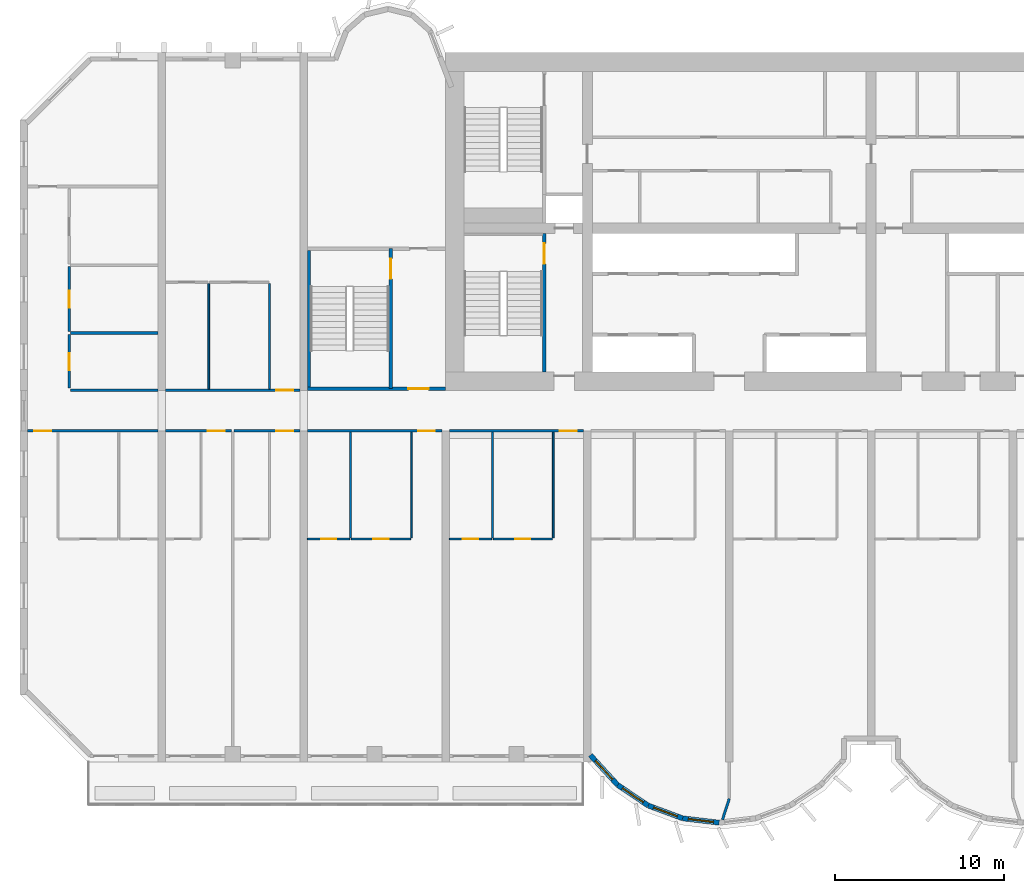
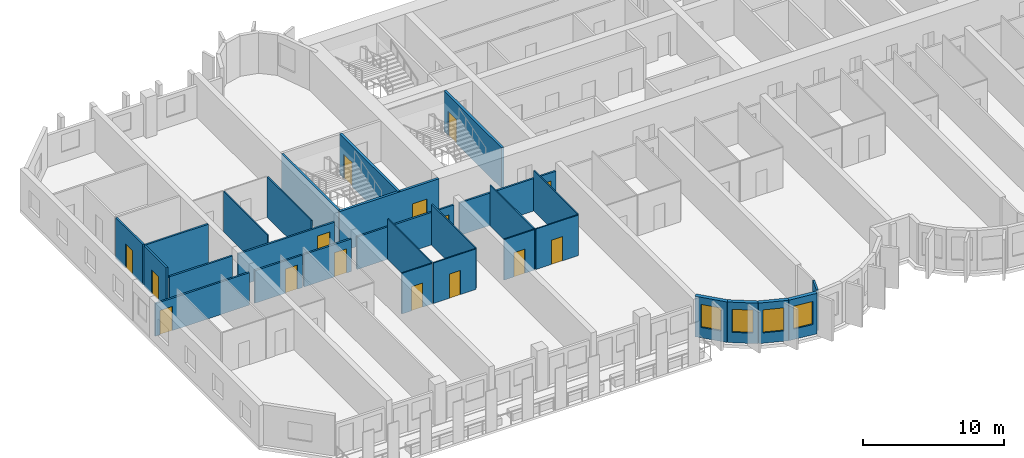
# One storey, part 3 of 15: 29 walls, 15 doors, 4 windows, 19 openings.
"""IFC4 building model written with IfcOpenShell, lengths in metres."""

from ifc_helpers import new_model, si_unit, direction, frame, frame_2d, origin, place, context, subcontext, project, spatial, rectangle, extrude, source, transform, mapped, material, layer, layer_set, type_object, element, fill, save


model = new_model("IFC4")

# Units and contexts
model_context = context("Model", 3, precision=1e-05, world=origin(), true_north=direction((0.0, 1.0)))
body_context = subcontext(model_context, "Body", "Model", "MODEL_VIEW")
ifc_project = project(units=[si_unit("LENGTHUNIT", "METRE"), si_unit("AREAUNIT", "SQUARE_METRE"), si_unit("VOLUMEUNIT", "CUBIC_METRE"), si_unit("PLANEANGLEUNIT", "RADIAN"), si_unit("MASSUNIT", "GRAM", prefix="KILO")], contexts=[model_context])

# Site, building, storey
site_placement = place(None, origin())
site = spatial("IfcSite", under=ifc_project, at=site_placement, CompositionType="ELEMENT")
building_placement = place(site_placement, origin())
building = spatial("IfcBuilding", under=site, at=building_placement, Name="Vanashikhar Sky Hotel", CompositionType="ELEMENT")
storey_placement = place(building_placement, frame((0.0, 0.0, 39.199951171875)))
storey = spatial("IfcBuildingStorey", under=building, at=storey_placement, Name="L08", CompositionType="ELEMENT", Elevation=39.199951171875)

# Wall, opening, window
ifc_material_1 = material(Name="Concrete M50", Category="concrete")
ifc_layer_1 = layer(ifc_material_1, 0.300048828125)
ifc_layer_set_1 = layer_set([ifc_layer_1], Name="Lobe wall 300")
wall_type_1 = type_object("IfcWallType", Name="Lobe wall 300", PredefinedType="SOLIDWALL", material=ifc_layer_set_1)
shared_shape_1 = source(origin(), body_context, "Body", "SweptSolid", [
    extrude(rectangle(XDim=2.398193359375, YDim=0.300048828125, at=frame_2d((1.19921875, 0.0))), origin(), (0.0, 0.0, 1.0), 3.52001953125),
])
wall_1_placement = place(storey_placement, frame((33.776123046875, 0.39990234375, 0.0), z_axis=(0.0, 0.0, 1.0), x_axis=(0.675374189419, -0.737475222815, 0.0)))
wall_1 = element("IfcWall", 1, at=wall_1_placement, inside=storey, type_object=wall_type_1, Name="Lobe wall", PredefinedType="SOLIDWALL", context=body_context, shape_type="MappedRepresentation", body=[
    mapped(shared_shape_1, transform((0.0, 0.0, 0.0), scale=1.0)),
])
shared_shape_2 = source(origin(), body_context, "Body", "SweptSolid", [
    extrude(rectangle(XDim=1.5, YDim=2.0, at=frame_2d((0.75, 1.0))), frame((0.0, 0.16015625, 0.0), z_axis=(0.0, -1.0, 0.0), x_axis=(1.0, 0.0, 0.0)), (0.0, 0.0, 1.0), 0.320068359375),
])
opening_1_placement = place(wall_1_placement, frame((0.44921875, 0.0, 0.89990234375)))
opening_1 = element("IfcOpeningElement", 2, at=opening_1_placement, cuts=wall_1, Name="Opening WN-2", PredefinedType="OPENING", context=body_context, shape_type="MappedRepresentation", body=[
    mapped(shared_shape_2, transform((0.0, 0.0, 0.0), scale=1.0)),
])
ifc_material_2 = material(Name="Glass", Category="glass")
window_type = type_object("IfcWindowType", Name="Lobe window 1500 x 2000", PartitioningType="SINGLE_PANEL", PredefinedType="WINDOW", material=ifc_material_2)
shared_shape_3 = source(origin(), body_context, "Body", "SweptSolid", [
    extrude(rectangle(XDim=1.5, YDim=2.0, at=frame_2d((0.75, 1.0))), frame((0.0, 0.030029296875, 0.0), z_axis=(0.0, -1.0, 0.0), x_axis=(1.0, 0.0, 0.0)), (0.0, 0.0, 1.0), 0.06005859375),
])
window_1_placement = place(opening_1_placement, origin())
window_1 = element("IfcWindow", 3, at=window_1_placement, inside=storey, type_object=window_type, Name="Window WN-2", OverallHeight=2.0, OverallWidth=1.5, PartitioningType="SINGLE_PANEL", PredefinedType="WINDOW", context=body_context, shape_type="MappedRepresentation", body=[
    mapped(shared_shape_3, transform((0.0, 0.0, 0.0), scale=1.0)),
])
fill(opening_1, window_1)

shared_shape_4 = source(origin(), body_context, "Body", "SweptSolid", [
    extrude(rectangle(XDim=2.17578125, YDim=0.300048828125, at=frame_2d((1.087890625, 0.0))), origin(), (0.0, 0.0, 1.0), 3.52001953125),
])
wall_2_placement = place(storey_placement, frame((35.395751953125, -1.36865234375, 0.0), z_axis=(0.0, 0.0, 1.0), x_axis=(0.829590746428, -0.558371913192, 0.0)))
wall_2 = element("IfcWall", 4, at=wall_2_placement, inside=storey, type_object=wall_type_1, Name="Lobe wall", PredefinedType="SOLIDWALL", context=body_context, shape_type="MappedRepresentation", body=[
    mapped(shared_shape_4, transform((0.0, 0.0, 0.0), scale=1.0)),
])
opening_2_placement = place(wall_2_placement, frame((0.337890625, 0.0, 0.89990234375)))
opening_2 = element("IfcOpeningElement", 5, at=opening_2_placement, cuts=wall_2, Name="Opening WN-2", PredefinedType="OPENING", context=body_context, shape_type="MappedRepresentation", body=[
    mapped(shared_shape_2, transform((0.0, 0.0, 0.0), scale=1.0)),
])
window_2_placement = place(opening_2_placement, origin())
window_2 = element("IfcWindow", 6, at=window_2_placement, inside=storey, type_object=window_type, Name="Window WN-2", OverallHeight=2.0, OverallWidth=1.5, PartitioningType="SINGLE_PANEL", PredefinedType="WINDOW", context=body_context, shape_type="MappedRepresentation", body=[
    mapped(shared_shape_3, transform((0.0, 0.0, 0.0), scale=1.0)),
])
fill(opening_2, window_2)

wall_3_placement = place(storey_placement, frame((37.20068359375, -2.58349609375, 0.0), z_axis=(0.0, 0.0, 1.0), x_axis=(0.93754555999, -0.347862505801, 0.0)))
wall_3 = element("IfcWall", 7, at=wall_3_placement, inside=storey, type_object=wall_type_1, Name="Lobe wall", PredefinedType="SOLIDWALL", context=body_context, shape_type="MappedRepresentation", body=[
    mapped(shared_shape_4, transform((0.0, 0.0, 0.0), scale=1.0)),
])
opening_3_placement = place(wall_3_placement, frame((0.337890625, 0.0, 0.89990234375)))
opening_3 = element("IfcOpeningElement", 8, at=opening_3_placement, cuts=wall_3, Name="Opening WN-2", PredefinedType="OPENING", context=body_context, shape_type="MappedRepresentation", body=[
    mapped(shared_shape_2, transform((0.0, 0.0, 0.0), scale=1.0)),
])
window_3_placement = place(opening_3_placement, origin())
window_3 = element("IfcWindow", 9, at=window_3_placement, inside=storey, type_object=window_type, Name="Window WN-2", OverallHeight=2.0, OverallWidth=1.5, PartitioningType="SINGLE_PANEL", PredefinedType="WINDOW", context=body_context, shape_type="MappedRepresentation", body=[
    mapped(shared_shape_3, transform((0.0, 0.0, 0.0), scale=1.0)),
])
fill(opening_3, window_3)

shared_shape_5 = source(origin(), body_context, "Body", "SweptSolid", [
    extrude(rectangle(XDim=2.174560546875, YDim=0.300048828125, at=frame_2d((1.08740234375, 0.0))), origin(), (0.0, 0.0, 1.0), 3.52001953125),
])
wall_4_placement = place(storey_placement, frame((39.240478515625, -3.34033203125, 0.0), z_axis=(0.0, 0.0, 1.0), x_axis=(0.993001132889, -0.118104826659, 0.0)))
wall_4 = element("IfcWall", 10, at=wall_4_placement, inside=storey, type_object=wall_type_1, Name="Lobe wall", PredefinedType="SOLIDWALL", context=body_context, shape_type="MappedRepresentation", body=[
    mapped(shared_shape_5, transform((0.0, 0.0, 0.0), scale=1.0)),
])
opening_4_placement = place(wall_4_placement, frame((0.33740234375, 0.0, 0.89990234375)))
opening_4 = element("IfcOpeningElement", 11, at=opening_4_placement, cuts=wall_4, Name="Opening WN-2", PredefinedType="OPENING", context=body_context, shape_type="MappedRepresentation", body=[
    mapped(shared_shape_2, transform((0.0, 0.0, 0.0), scale=1.0)),
])
window_4_placement = place(opening_4_placement, origin())
window_4 = element("IfcWindow", 12, at=window_4_placement, inside=storey, type_object=window_type, Name="Window WN-2", OverallHeight=2.0, OverallWidth=1.5, PartitioningType="SINGLE_PANEL", PredefinedType="WINDOW", context=body_context, shape_type="MappedRepresentation", body=[
    mapped(shared_shape_3, transform((0.0, 0.0, 0.0), scale=1.0)),
])
fill(opening_4, window_4)

# Wall, opening, door
ifc_layer_2 = layer(ifc_material_1, 0.199951171875)
ifc_layer_set_2 = layer_set([ifc_layer_2], Name="Stair wall 200")
wall_type_2 = type_object("IfcWallType", Name="Stair wall 200", PredefinedType="SOLIDWALL", material=ifc_layer_set_2)
shared_shape_6 = source(origin(), body_context, "Body", "SweptSolid", [
    extrude(rectangle(XDim=8.199951171875, YDim=0.199951171875, at=frame_2d((4.10009765625, 0.0))), origin(), (0.0, 0.0, 1.0), 3.52001953125),
])
wall_5_placement = place(storey_placement, frame((31.050048828125, 23.10009765625, 0.0), z_axis=(0.0, 0.0, 1.0), x_axis=(0.0, 1.0, 0.0)))
wall_5 = element("IfcWall", 13, at=wall_5_placement, inside=storey, type_object=wall_type_2, Name="Stair wall 200", PredefinedType="SOLIDWALL", context=body_context, shape_type="MappedRepresentation", body=[
    mapped(shared_shape_6, transform((0.0, 0.0, 0.0), scale=1.0)),
])
shared_shape_7 = source(origin(), body_context, "Body", "SweptSolid", [
    extrude(rectangle(XDim=1.199951171875, YDim=2.10009765625, at=frame_2d((0.60009765625, 1.050048828125))), frame((0.0, 0.10986328125, 0.0), z_axis=(0.0, -1.0, 0.0), x_axis=(1.0, 0.0, 0.0)), (0.0, 0.0, 1.0), 0.219970703125),
])
opening_5_placement = place(wall_5_placement, frame((6.39990234375, 0.0, 0.0)))
opening_5 = element("IfcOpeningElement", 14, at=opening_5_placement, cuts=wall_5, Name="Opening DC-1", PredefinedType="OPENING", context=body_context, shape_type="MappedRepresentation", body=[
    mapped(shared_shape_7, transform((0.0, 0.0, 0.0), scale=1.0)),
])
ifc_material_3 = material(Name="Steel", Category="steel")
door_type_1 = type_object("IfcDoorType", Name="Stair door 1200 FD120", OperationType="NOTDEFINED", PredefinedType="DOOR", material=ifc_material_3)
shared_shape_8 = source(origin(), body_context, "Body", "SweptSolid", [
    extrude(rectangle(XDim=1.199951171875, YDim=2.10009765625, at=frame_2d((0.60009765625, 1.050048828125))), frame((0.0, 0.02490234375, 0.0), z_axis=(0.0, -1.0, 0.0), x_axis=(1.0, 0.0, 0.0)), (0.0, 0.0, 1.0), 0.050048828125),
])
door_1_placement = place(opening_5_placement, origin())
door_1 = element("IfcDoor", 15, at=door_1_placement, inside=storey, type_object=door_type_1, Name="Stair door 1200 FD120", OperationType="SINGLE_SWING_LEFT", OverallHeight=2.10009765625, OverallWidth=1.199951171875, PredefinedType="DOOR", context=body_context, shape_type="MappedRepresentation", body=[
    mapped(shared_shape_8, transform((0.0, 0.0, 0.0), scale=1.0)),
])
fill(opening_5, door_1)

shared_shape_9 = source(origin(), body_context, "Body", "SweptSolid", [
    extrude(rectangle(XDim=8.2998046875, YDim=0.199951171875, at=frame_2d((4.14990234375, 0.0))), origin(), (0.0, 0.0, 1.0), 3.52001953125),
])
wall_6_placement = place(storey_placement, frame((21.949951171875, 22.10009765625, 0.0), z_axis=(0.0, 0.0, 1.0), x_axis=(0.0, 1.0, 0.0)))
wall_6 = element("IfcWall", 16, at=wall_6_placement, inside=storey, type_object=wall_type_2, Name="Stair wall 200", PredefinedType="SOLIDWALL", context=body_context, shape_type="MappedRepresentation", body=[
    mapped(shared_shape_9, transform((0.0, 0.0, 0.0), scale=1.0)),
])
opening_6_placement = place(wall_6_placement, frame((6.5, 0.0, 0.0)))
opening_6 = element("IfcOpeningElement", 17, at=opening_6_placement, cuts=wall_6, Name="Opening DC-1", PredefinedType="OPENING", context=body_context, shape_type="MappedRepresentation", body=[
    mapped(shared_shape_7, transform((0.0, 0.0, 0.0), scale=1.0)),
])
door_2_placement = place(opening_6_placement, origin())
door_2 = element("IfcDoor", 18, at=door_2_placement, inside=storey, type_object=door_type_1, Name="Stair door 1200 FD120", OperationType="SINGLE_SWING_LEFT", OverallHeight=2.10009765625, OverallWidth=1.199951171875, PredefinedType="DOOR", context=body_context, shape_type="MappedRepresentation", body=[
    mapped(shared_shape_8, transform((0.0, 0.0, 0.0), scale=1.0)),
])
fill(opening_6, door_2)

shared_shape_10 = source(origin(), body_context, "Body", "SweptSolid", [
    extrude(rectangle(XDim=8.175048828125, YDim=0.199951171875, at=frame_2d((4.08740234375, 0.0))), origin(), (0.0, 0.0, 1.0), 3.52001953125),
])
wall_7_placement = place(storey_placement, frame((17.02490234375, 22.10009765625, 0.0), z_axis=(0.0, 0.0, 1.0), x_axis=(1.0, 0.0, 0.0)))
wall_7 = element("IfcWall", 19, at=wall_7_placement, inside=storey, type_object=wall_type_2, Name="Stair wall 200", PredefinedType="SOLIDWALL", context=body_context, shape_type="MappedRepresentation", body=[
    mapped(shared_shape_10, transform((0.0, 0.0, 0.0), scale=1.0)),
])
opening_7_placement = place(wall_7_placement, frame((5.97509765625, 0.0, 0.0)))
opening_7 = element("IfcOpeningElement", 20, at=opening_7_placement, cuts=wall_7, Name="Opening DC-2", PredefinedType="OPENING", context=body_context, shape_type="MappedRepresentation", body=[
    mapped(shared_shape_7, transform((0.0, 0.0, 0.0), scale=1.0)),
])
door_type_2 = type_object("IfcDoorType", Name="Firefighting lobby door 1200 FD120", OperationType="NOTDEFINED", PredefinedType="DOOR", material=ifc_material_3)
door_3_placement = place(opening_7_placement, origin())
door_3 = element("IfcDoor", 21, at=door_3_placement, inside=storey, type_object=door_type_2, Name="Firefighting lobby door 1200 FD120", OperationType="SINGLE_SWING_LEFT", OverallHeight=2.10009765625, OverallWidth=1.199951171875, PredefinedType="DOOR", context=body_context, shape_type="MappedRepresentation", body=[
    mapped(shared_shape_8, transform((0.0, 0.0, 0.0), scale=1.0)),
])
fill(opening_7, door_3)

# Wall
ifc_layer_3 = layer(ifc_material_1, 0.175048828125)
ifc_layer_set_3 = layer_set([ifc_layer_3], Name="Stair infill wall 175")
wall_type_3 = type_object("IfcWallType", Name="Stair infill wall 175", PredefinedType="SOLIDWALL", material=ifc_layer_set_3)
shared_shape_11 = source(origin(), body_context, "Body", "SweptSolid", [
    extrude(rectangle(XDim=8.10009765625, YDim=0.175048828125, at=frame_2d((4.050048828125, 0.0))), origin(), (0.0, 0.0, 1.0), 3.52001953125),
])
wall_8_placement = place(storey_placement, frame((17.112060546875, 22.199951171875, 0.0), z_axis=(0.0, 0.0, 1.0), x_axis=(0.0, 1.0, 0.0)))
element("IfcWall", 22, at=wall_8_placement, inside=storey, type_object=wall_type_3, Name="Stair infill wall 175", PredefinedType="SOLIDWALL", context=body_context, shape_type="MappedRepresentation", body=[
    mapped(shared_shape_11, transform((0.0, 0.0, 0.0), scale=1.0)),
])

# Wall, opening, door
ifc_material_4 = material(Name="Gypsum plasterboard partition")
ifc_layer_4 = layer(ifc_material_4, 0.14990234375)
ifc_layer_set_4 = layer_set([ifc_layer_4], Name="Corridor and demising partition 150")
wall_type_4 = type_object("IfcWallType", Name="Corridor and demising partition 150", PredefinedType="PARTITIONING", material=ifc_layer_set_4)
shared_shape_12 = source(origin(), body_context, "Body", "SweptSolid", [
    extrude(rectangle(XDim=3.89990234375, YDim=0.14990234375, at=frame_2d((1.949951171875, 0.0))), origin(), (0.0, 0.0, 1.0), 2.820068359375),
])
wall_9_placement = place(storey_placement, frame((8.625, 19.60009765625, 0.0), z_axis=(0.0, 0.0, 1.0), x_axis=(1.0, 0.0, 0.0)))
wall_9 = element("IfcWall", 23, at=wall_9_placement, inside=storey, type_object=wall_type_4, Name="W-L08-PW008", PredefinedType="PARTITIONING", context=body_context, shape_type="MappedRepresentation", body=[
    mapped(shared_shape_12, transform((0.0, 0.0, 0.0), scale=1.0)),
])
shared_shape_13 = source(origin(), body_context, "Body", "SweptSolid", [
    extrude(rectangle(XDim=1.0, YDim=2.10009765625, at=frame_2d((0.5, 1.050048828125))), frame((0.0, 0.0849609375, 0.0), z_axis=(0.0, -1.0, 0.0), x_axis=(1.0, 0.0, 0.0)), (0.0, 0.0, 1.0), 0.169921875),
])
opening_8_placement = place(wall_9_placement, frame((2.5, 0.0, 0.0)))
opening_8 = element("IfcOpeningElement", 24, at=opening_8_placement, cuts=wall_9, Name="Opening D-01", PredefinedType="OPENING", context=body_context, shape_type="MappedRepresentation", body=[
    mapped(shared_shape_13, transform((0.0, 0.0, 0.0), scale=1.0)),
])
ifc_material_5 = material(Name="Timber fire door", Category="wood")
door_type_3 = type_object("IfcDoorType", Name="Guest entry door 1000 FD30S", OperationType="NOTDEFINED", PredefinedType="DOOR", material=ifc_material_5)
shared_shape_14 = source(origin(), body_context, "Body", "SweptSolid", [
    extrude(rectangle(XDim=1.0, YDim=2.10009765625, at=frame_2d((0.5, 1.050048828125))), frame((0.0, 0.02490234375, 0.0), z_axis=(0.0, -1.0, 0.0), x_axis=(1.0, 0.0, 0.0)), (0.0, 0.0, 1.0), 0.050048828125),
])
door_4_placement = place(opening_8_placement, origin())
door_4 = element("IfcDoor", 25, at=door_4_placement, inside=storey, type_object=door_type_3, Name="D-L08-005", OperationType="SINGLE_SWING_RIGHT", OverallHeight=2.10009765625, OverallWidth=1.0, PredefinedType="DOOR", context=body_context, shape_type="MappedRepresentation", body=[
    mapped(shared_shape_14, transform((0.0, 0.0, 0.0), scale=1.0)),
])
fill(opening_8, door_4)

wall_10_placement = place(storey_placement, frame((12.675048828125, 19.60009765625, 0.0), z_axis=(0.0, 0.0, 1.0), x_axis=(1.0, 0.0, 0.0)))
wall_10 = element("IfcWall", 26, at=wall_10_placement, inside=storey, type_object=wall_type_4, Name="W-L08-PW011", PredefinedType="PARTITIONING", context=body_context, shape_type="MappedRepresentation", body=[
    mapped(shared_shape_12, transform((0.0, 0.0, 0.0), scale=1.0)),
])
opening_9_placement = place(wall_10_placement, frame((2.5, 0.0, 0.0)))
opening_9 = element("IfcOpeningElement", 27, at=opening_9_placement, cuts=wall_10, Name="Opening D-01", PredefinedType="OPENING", context=body_context, shape_type="MappedRepresentation", body=[
    mapped(shared_shape_13, transform((0.0, 0.0, 0.0), scale=1.0)),
])
door_5_placement = place(opening_9_placement, origin())
door_5 = element("IfcDoor", 28, at=door_5_placement, inside=storey, type_object=door_type_3, Name="D-L08-007", OperationType="SINGLE_SWING_RIGHT", OverallHeight=2.10009765625, OverallWidth=1.0, PredefinedType="DOOR", context=body_context, shape_type="MappedRepresentation", body=[
    mapped(shared_shape_14, transform((0.0, 0.0, 0.0), scale=1.0)),
])
fill(opening_9, door_5)

# Walls
shared_shape_15 = source(origin(), body_context, "Body", "SweptSolid", [
    extrude(rectangle(XDim=5.175048828125, YDim=0.14990234375, at=frame_2d((2.58740234375, 0.0))), origin(), (0.0, 0.0, 1.0), 2.820068359375),
])
wall_11_placement = place(storey_placement, frame((3.0, 22.0, 0.0), z_axis=(0.0, 0.0, 1.0), x_axis=(1.0, 0.0, 0.0)))
element("IfcWall", 29, at=wall_11_placement, inside=storey, type_object=wall_type_4, Name="W-L08-PW070", PredefinedType="PARTITIONING", context=body_context, shape_type="MappedRepresentation", body=[
    mapped(shared_shape_15, transform((0.0, 0.0, 0.0), scale=1.0)),
])
shared_shape_16 = source(origin(), body_context, "Body", "SweptSolid", [
    extrude(rectangle(XDim=5.175048828125, YDim=0.14990234375, at=frame_2d((2.58740234375, 0.0))), origin(), (0.0, 0.0, 1.0), 3.52001953125),
])
wall_12_placement = place(storey_placement, frame((3.0, 25.39990234375, 0.0), z_axis=(0.0, 0.0, 1.0), x_axis=(1.0, 0.0, 0.0)))
element("IfcWall", 30, at=wall_12_placement, inside=storey, type_object=wall_type_4, Name="W-L08-PW072", PredefinedType="PARTITIONING", context=body_context, shape_type="MappedRepresentation", body=[
    mapped(shared_shape_16, transform((0.0, 0.0, 0.0), scale=1.0)),
])

# Wall, opening, door
ifc_layer_5 = layer(ifc_material_4, 0.10009765625)
ifc_layer_set_5 = layer_set([ifc_layer_5], Name="Wet room partition 100")
wall_type_5 = type_object("IfcWallType", Name="Wet room partition 100", PredefinedType="PARTITIONING", material=ifc_layer_set_5)
shared_shape_17 = source(origin(), body_context, "Body", "SweptSolid", [
    extrude(rectangle(XDim=3.5, YDim=0.10009765625, at=frame_2d((1.75, 0.0))), origin(), (0.0, 0.0, 1.0), 3.52001953125),
])
wall_13_placement = place(storey_placement, frame((19.625, 13.199951171875, 0.0), z_axis=(0.0, 0.0, 1.0), x_axis=(1.0, 0.0, 0.0)))
wall_13 = element("IfcWall", 31, at=wall_13_placement, inside=storey, type_object=wall_type_5, Name="W-L08-PW015", PredefinedType="PARTITIONING", context=body_context, shape_type="MappedRepresentation", body=[
    mapped(shared_shape_17, transform((0.0, 0.0, 0.0), scale=1.0)),
])
shared_shape_18 = source(origin(), body_context, "Body", "SweptSolid", [
    extrude(rectangle(XDim=0.89990234375, YDim=2.10009765625, at=frame_2d((0.449951171875, 1.050048828125))), frame((0.0, 0.06005859375, 0.0), z_axis=(0.0, -1.0, 0.0), x_axis=(1.0, 0.0, 0.0)), (0.0, 0.0, 1.0), 0.1201171875),
])
opening_10_placement = place(wall_13_placement, frame((1.300048828125, 0.0, 0.0)))
opening_10 = element("IfcOpeningElement", 32, at=opening_10_placement, cuts=wall_13, Name="Opening D-02", PredefinedType="OPENING", context=body_context, shape_type="MappedRepresentation", body=[
    mapped(shared_shape_18, transform((0.0, 0.0, 0.0), scale=1.0)),
])
ifc_material_6 = material(Name="Timber door", Category="wood")
door_type_4 = type_object("IfcDoorType", Name="Internal door 900", OperationType="NOTDEFINED", PredefinedType="DOOR", material=ifc_material_6)
shared_shape_19 = source(origin(), body_context, "Body", "SweptSolid", [
    extrude(rectangle(XDim=0.89990234375, YDim=2.10009765625, at=frame_2d((0.449951171875, 1.050048828125))), frame((0.0, 0.02490234375, 0.0), z_axis=(0.0, -1.0, 0.0), x_axis=(1.0, 0.0, 0.0)), (0.0, 0.0, 1.0), 0.050048828125),
])
door_6_placement = place(opening_10_placement, origin())
door_6 = element("IfcDoor", 33, at=door_6_placement, inside=storey, type_object=door_type_4, Name="D-L08-008", OperationType="SINGLE_SWING_RIGHT", OverallHeight=2.10009765625, OverallWidth=0.89990234375, PredefinedType="DOOR", context=body_context, shape_type="MappedRepresentation", body=[
    mapped(shared_shape_19, transform((0.0, 0.0, 0.0), scale=1.0)),
])
fill(opening_10, door_6)

wall_14_placement = place(storey_placement, frame((28.02490234375, 13.199951171875, 0.0), z_axis=(0.0, 0.0, 1.0), x_axis=(1.0, 0.0, 0.0)))
wall_14 = element("IfcWall", 34, at=wall_14_placement, inside=storey, type_object=wall_type_5, Name="W-L08-PW020", PredefinedType="PARTITIONING", context=body_context, shape_type="MappedRepresentation", body=[
    mapped(shared_shape_17, transform((0.0, 0.0, 0.0), scale=1.0)),
])
opening_11_placement = place(wall_14_placement, frame((1.300048828125, 0.0, 0.0)))
opening_11 = element("IfcOpeningElement", 35, at=opening_11_placement, cuts=wall_14, Name="Opening D-02", PredefinedType="OPENING", context=body_context, shape_type="MappedRepresentation", body=[
    mapped(shared_shape_18, transform((0.0, 0.0, 0.0), scale=1.0)),
])
door_7_placement = place(opening_11_placement, origin())
door_7 = element("IfcDoor", 36, at=door_7_placement, inside=storey, type_object=door_type_4, Name="D-L08-011", OperationType="SINGLE_SWING_RIGHT", OverallHeight=2.10009765625, OverallWidth=0.89990234375, PredefinedType="DOOR", context=body_context, shape_type="MappedRepresentation", body=[
    mapped(shared_shape_19, transform((0.0, 0.0, 0.0), scale=1.0)),
])
fill(opening_11, door_7)

shared_shape_20 = source(origin(), body_context, "Body", "SweptSolid", [
    extrude(rectangle(XDim=7.72509765625, YDim=0.14990234375, at=frame_2d((3.862548828125, 0.0))), origin(), (0.0, 0.0, 1.0), 2.820068359375),
])
wall_15_placement = place(storey_placement, frame((0.449951171875, 19.60009765625, 0.0), z_axis=(0.0, 0.0, 1.0), x_axis=(1.0, 0.0, 0.0)))
wall_15 = element("IfcWall", 37, at=wall_15_placement, inside=storey, type_object=wall_type_4, Name="W-L08-PW005", PredefinedType="PARTITIONING", context=body_context, shape_type="MappedRepresentation", body=[
    mapped(shared_shape_20, transform((0.0, 0.0, 0.0), scale=1.0)),
])
opening_12_placement = place(wall_15_placement, frame((0.39990234375, 0.0, 0.0)))
opening_12 = element("IfcOpeningElement", 38, at=opening_12_placement, cuts=wall_15, Name="Opening D-01", PredefinedType="OPENING", context=body_context, shape_type="MappedRepresentation", body=[
    mapped(shared_shape_13, transform((0.0, 0.0, 0.0), scale=1.0)),
])
door_8_placement = place(opening_12_placement, origin())
door_8 = element("IfcDoor", 39, at=door_8_placement, inside=storey, type_object=door_type_3, Name="D-L08-003", OperationType="SINGLE_SWING_LEFT", OverallHeight=2.10009765625, OverallWidth=1.0, PredefinedType="DOOR", context=body_context, shape_type="MappedRepresentation", body=[
    mapped(shared_shape_14, transform((0.0, 0.0, 0.0), scale=1.0)),
])
fill(opening_12, door_8)

# Walls
shared_shape_21 = source(origin(), body_context, "Body", "SweptSolid", [
    extrude(rectangle(XDim=1.308349609375, YDim=0.14990234375, at=frame_2d((0.654296875, 0.0))), origin(), (0.0, 0.0, 1.0), 3.52001953125),
])
wall_16_placement = place(storey_placement, frame((41.597900390625, -3.423095703125, 0.0), z_axis=(0.0, 0.0, 1.0), x_axis=(0.307313512187, 0.951608325535, 0.0)))
element("IfcWall", 40, at=wall_16_placement, inside=storey, type_object=wall_type_4, Name="W-L08-PW068B0", PredefinedType="PARTITIONING", context=body_context, shape_type="MappedRepresentation", body=[
    mapped(shared_shape_21, transform((0.0, 0.0, 0.0), scale=1.0)),
])
shared_shape_22 = source(origin(), body_context, "Body", "SweptSolid", [
    extrude(rectangle(XDim=6.25, YDim=0.10009765625, at=frame_2d((3.125, 0.0))), origin(), (0.0, 0.0, 1.0), 3.52001953125),
])
for number, where, z_axis, x_axis, name in (
    (41, (23.175048828125, 13.27490234375, 0.0), (0.0, 0.0, 1.0), (0.0, 1.0, 0.0), "W-L08-PW013"),
    (42, (19.574951171875, 13.27490234375, 0.0), (0.0, 0.0, 1.0), (0.0, 1.0, 0.0), "W-L08-PW014"),
    (43, (31.574951171875, 13.27490234375, 0.0), (0.0, 0.0, 1.0), (0.0, 1.0, 0.0), "W-L08-PW018"),
    (44, (27.97509765625, 13.27490234375, 0.0), (0.0, 0.0, 1.0), (0.0, 1.0, 0.0), "W-L08-PW019"),
    (45, (14.77490234375, 22.074951171875, 0.0), (0.0, 0.0, 1.0), (0.0, 1.0, 0.0), "W-L08-PW077"),
    (46, (11.175048828125, 22.074951171875, 0.0), (0.0, 0.0, 1.0), (0.0, 1.0, 0.0), "W-L08-PW078"),
):
    element("IfcWall", number, at=place(storey_placement, frame(where, z_axis=z_axis, x_axis=x_axis)), inside=storey, type_object=wall_type_5, Name=name, PredefinedType="PARTITIONING", context=body_context, shape_type="MappedRepresentation", body=[
        mapped(shared_shape_22, transform((0.0, 0.0, 0.0), scale=1.0)),
    ])

# Wall, opening, door
shared_shape_23 = source(origin(), body_context, "Body", "SweptSolid", [
    extrude(rectangle(XDim=2.5, YDim=0.10009765625, at=frame_2d((1.25, 0.0))), origin(), (0.0, 0.0, 1.0), 3.52001953125),
])
wall_17_placement = place(storey_placement, frame((17.02490234375, 13.199951171875, 0.0), z_axis=(0.0, 0.0, 1.0), x_axis=(1.0, 0.0, 0.0)))
wall_17 = element("IfcWall", 47, at=wall_17_placement, inside=storey, type_object=wall_type_5, Name="W-L08-PW016", PredefinedType="PARTITIONING", context=body_context, shape_type="MappedRepresentation", body=[
    mapped(shared_shape_23, transform((0.0, 0.0, 0.0), scale=1.0)),
])
opening_13_placement = place(wall_17_placement, frame((0.800048828125, 0.0, 0.0)))
opening_13 = element("IfcOpeningElement", 48, at=opening_13_placement, cuts=wall_17, Name="Opening D-02", PredefinedType="OPENING", context=body_context, shape_type="MappedRepresentation", body=[
    mapped(shared_shape_18, transform((0.0, 0.0, 0.0), scale=1.0)),
])
door_9_placement = place(opening_13_placement, origin())
door_9 = element("IfcDoor", 49, at=door_9_placement, inside=storey, type_object=door_type_4, Name="D-L08-009", OperationType="SINGLE_SWING_RIGHT", OverallHeight=2.10009765625, OverallWidth=0.89990234375, PredefinedType="DOOR", context=body_context, shape_type="MappedRepresentation", body=[
    mapped(shared_shape_19, transform((0.0, 0.0, 0.0), scale=1.0)),
])
fill(opening_13, door_9)

wall_18_placement = place(storey_placement, frame((25.425048828125, 13.199951171875, 0.0), z_axis=(0.0, 0.0, 1.0), x_axis=(1.0, 0.0, 0.0)))
wall_18 = element("IfcWall", 50, at=wall_18_placement, inside=storey, type_object=wall_type_5, Name="W-L08-PW021", PredefinedType="PARTITIONING", context=body_context, shape_type="MappedRepresentation", body=[
    mapped(shared_shape_23, transform((0.0, 0.0, 0.0), scale=1.0)),
])
opening_14_placement = place(wall_18_placement, frame((0.800048828125, 0.0, 0.0)))
opening_14 = element("IfcOpeningElement", 51, at=opening_14_placement, cuts=wall_18, Name="Opening D-02", PredefinedType="OPENING", context=body_context, shape_type="MappedRepresentation", body=[
    mapped(shared_shape_18, transform((0.0, 0.0, 0.0), scale=1.0)),
])
door_10_placement = place(opening_14_placement, origin())
door_10 = element("IfcDoor", 52, at=door_10_placement, inside=storey, type_object=door_type_4, Name="D-L08-012", OperationType="SINGLE_SWING_RIGHT", OverallHeight=2.10009765625, OverallWidth=0.89990234375, PredefinedType="DOOR", context=body_context, shape_type="MappedRepresentation", body=[
    mapped(shared_shape_19, transform((0.0, 0.0, 0.0), scale=1.0)),
])
fill(opening_14, door_10)

shared_shape_24 = source(origin(), body_context, "Body", "SweptSolid", [
    extrude(rectangle(XDim=7.9501953125, YDim=0.14990234375, at=frame_2d((3.97509765625, 0.0))), origin(), (0.0, 0.0, 1.0), 2.820068359375),
])
wall_19_placement = place(storey_placement, frame((17.02490234375, 19.60009765625, 0.0), z_axis=(0.0, 0.0, 1.0), x_axis=(1.0, 0.0, 0.0)))
wall_19 = element("IfcWall", 53, at=wall_19_placement, inside=storey, type_object=wall_type_4, Name="W-L08-PW017", PredefinedType="PARTITIONING", context=body_context, shape_type="MappedRepresentation", body=[
    mapped(shared_shape_24, transform((0.0, 0.0, 0.0), scale=1.0)),
])
opening_15_placement = place(wall_19_placement, frame((6.550048828125, 0.0, 0.0)))
opening_15 = element("IfcOpeningElement", 54, at=opening_15_placement, cuts=wall_19, Name="Opening D-01", PredefinedType="OPENING", context=body_context, shape_type="MappedRepresentation", body=[
    mapped(shared_shape_13, transform((0.0, 0.0, 0.0), scale=1.0)),
])
door_11_placement = place(opening_15_placement, origin())
door_11 = element("IfcDoor", 55, at=door_11_placement, inside=storey, type_object=door_type_3, Name="D-L08-010", OperationType="SINGLE_SWING_RIGHT", OverallHeight=2.10009765625, OverallWidth=1.0, PredefinedType="DOOR", context=body_context, shape_type="MappedRepresentation", body=[
    mapped(shared_shape_14, transform((0.0, 0.0, 0.0), scale=1.0)),
])
fill(opening_15, door_11)

shared_shape_25 = source(origin(), body_context, "Body", "SweptSolid", [
    extrude(rectangle(XDim=7.949951171875, YDim=0.14990234375, at=frame_2d((3.97509765625, 0.0))), origin(), (0.0, 0.0, 1.0), 2.820068359375),
])
wall_20_placement = place(storey_placement, frame((25.425048828125, 19.60009765625, 0.0), z_axis=(0.0, 0.0, 1.0), x_axis=(1.0, 0.0, 0.0)))
wall_20 = element("IfcWall", 56, at=wall_20_placement, inside=storey, type_object=wall_type_4, Name="W-L08-PW022", PredefinedType="PARTITIONING", context=body_context, shape_type="MappedRepresentation", body=[
    mapped(shared_shape_25, transform((0.0, 0.0, 0.0), scale=1.0)),
])
opening_16_placement = place(wall_20_placement, frame((6.550048828125, 0.0, 0.0)))
opening_16 = element("IfcOpeningElement", 57, at=opening_16_placement, cuts=wall_20, Name="Opening D-01", PredefinedType="OPENING", context=body_context, shape_type="MappedRepresentation", body=[
    mapped(shared_shape_13, transform((0.0, 0.0, 0.0), scale=1.0)),
])
door_12_placement = place(opening_16_placement, origin())
door_12 = element("IfcDoor", 58, at=door_12_placement, inside=storey, type_object=door_type_3, Name="D-L08-013", OperationType="SINGLE_SWING_RIGHT", OverallHeight=2.10009765625, OverallWidth=1.0, PredefinedType="DOOR", context=body_context, shape_type="MappedRepresentation", body=[
    mapped(shared_shape_14, transform((0.0, 0.0, 0.0), scale=1.0)),
])
fill(opening_16, door_12)

wall_21_placement = place(storey_placement, frame((8.625, 22.0, 0.0), z_axis=(0.0, 0.0, 1.0), x_axis=(1.0, 0.0, 0.0)))
wall_21 = element("IfcWall", 59, at=wall_21_placement, inside=storey, type_object=wall_type_4, Name="W-L08-PW081", PredefinedType="PARTITIONING", context=body_context, shape_type="MappedRepresentation", body=[
    mapped(shared_shape_25, transform((0.0, 0.0, 0.0), scale=1.0)),
])
opening_17_placement = place(wall_21_placement, frame((6.550048828125, 0.0, 0.0)))
opening_17 = element("IfcOpeningElement", 60, at=opening_17_placement, cuts=wall_21, Name="Opening D-01", PredefinedType="OPENING", context=body_context, shape_type="MappedRepresentation", body=[
    mapped(shared_shape_13, transform((0.0, 0.0, 0.0), scale=1.0)),
])
door_13_placement = place(opening_17_placement, origin())
door_13 = element("IfcDoor", 61, at=door_13_placement, inside=storey, type_object=door_type_3, Name="D-L08-047", OperationType="SINGLE_SWING_RIGHT", OverallHeight=2.10009765625, OverallWidth=1.0, PredefinedType="DOOR", context=body_context, shape_type="MappedRepresentation", body=[
    mapped(shared_shape_14, transform((0.0, 0.0, 0.0), scale=1.0)),
])
fill(opening_17, door_13)

shared_shape_26 = source(origin(), body_context, "Body", "SweptSolid", [
    extrude(rectangle(XDim=3.175048828125, YDim=0.14990234375, at=frame_2d((1.58740234375, 0.0))), origin(), (0.0, 0.0, 1.0), 3.52001953125),
])
wall_22_placement = place(storey_placement, frame((2.925048828125, 22.14990234375, 0.0), z_axis=(0.0, 0.0, 1.0), x_axis=(0.0, 1.0, 0.0)))
wall_22 = element("IfcWall", 62, at=wall_22_placement, inside=storey, type_object=wall_type_4, Name="W-L08-PW071", PredefinedType="PARTITIONING", context=body_context, shape_type="MappedRepresentation", body=[
    mapped(shared_shape_26, transform((0.0, 0.0, 0.0), scale=1.0)),
])
opening_18_placement = place(wall_22_placement, frame((1.050048828125, 0.0, 0.0)))
opening_18 = element("IfcOpeningElement", 63, at=opening_18_placement, cuts=wall_22, Name="Opening D-01", PredefinedType="OPENING", context=body_context, shape_type="MappedRepresentation", body=[
    mapped(shared_shape_13, transform((0.0, 0.0, 0.0), scale=1.0)),
])
door_14_placement = place(opening_18_placement, origin())
door_14 = element("IfcDoor", 64, at=door_14_placement, inside=storey, type_object=door_type_3, Name="D-L08-041", OperationType="SINGLE_SWING_LEFT", OverallHeight=2.10009765625, OverallWidth=1.0, PredefinedType="DOOR", context=body_context, shape_type="MappedRepresentation", body=[
    mapped(shared_shape_14, transform((0.0, 0.0, 0.0), scale=1.0)),
])
fill(opening_18, door_14)

shared_shape_27 = source(origin(), body_context, "Body", "SweptSolid", [
    extrude(rectangle(XDim=3.849853515625, YDim=0.14990234375, at=frame_2d((1.9248046875, 0.0))), origin(), (0.0, 0.0, 1.0), 3.52001953125),
])
wall_23_placement = place(storey_placement, frame((2.925048828125, 25.47509765625, 0.0), z_axis=(0.0, 0.0, 1.0), x_axis=(0.0, 1.0, 0.0)))
wall_23 = element("IfcWall", 65, at=wall_23_placement, inside=storey, type_object=wall_type_4, Name="W-L08-PW073", PredefinedType="PARTITIONING", context=body_context, shape_type="MappedRepresentation", body=[
    mapped(shared_shape_27, transform((0.0, 0.0, 0.0), scale=1.0)),
])
opening_19_placement = place(wall_23_placement, frame((1.425048828125, 0.0, 0.0)))
opening_19 = element("IfcOpeningElement", 66, at=opening_19_placement, cuts=wall_23, Name="Opening D-01", PredefinedType="OPENING", context=body_context, shape_type="MappedRepresentation", body=[
    mapped(shared_shape_13, transform((0.0, 0.0, 0.0), scale=1.0)),
])
door_15_placement = place(opening_19_placement, origin())
door_15 = element("IfcDoor", 67, at=door_15_placement, inside=storey, type_object=door_type_3, Name="D-L08-042", OperationType="SINGLE_SWING_LEFT", OverallHeight=2.10009765625, OverallWidth=1.0, PredefinedType="DOOR", context=body_context, shape_type="MappedRepresentation", body=[
    mapped(shared_shape_14, transform((0.0, 0.0, 0.0), scale=1.0)),
])
fill(opening_19, door_15)

save(model, "model.ifc")
